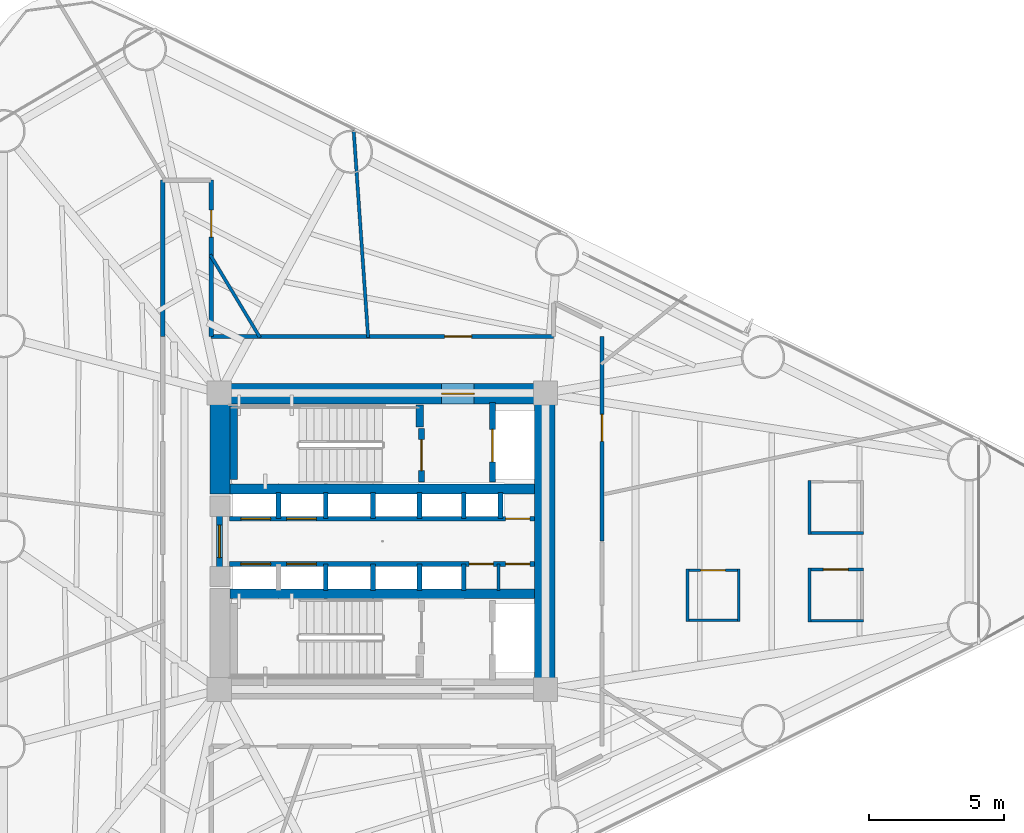
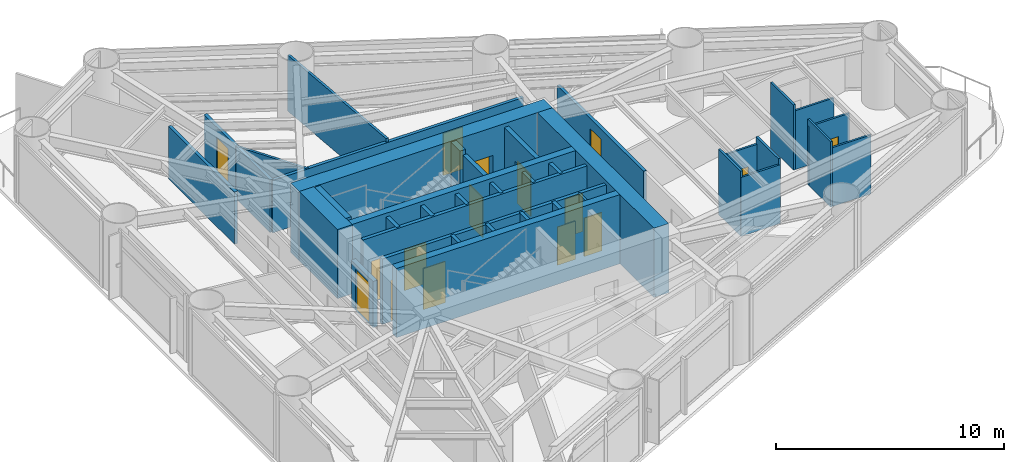
# One storey, part 6 of 11: 38 walls, 16 doors, 16 openings.
"""IFC4 building model written with IfcOpenShell, lengths in metres."""

from ifc_helpers import new_model, si_unit, direction, frame, frame_2d, origin, place, context, subcontext, project, spatial, rectangle, extrude, material, layer, layer_set, type_object, element, fill, save


model = new_model("IFC4")

# Units and contexts
model_context = context("Model", 3, precision=1e-05, world=origin(), true_north=direction((0.0, 1.0)))
body_context = subcontext(model_context, "Body", "Model", "MODEL_VIEW")
ifc_project = project(units=[si_unit("LENGTHUNIT", "METRE"), si_unit("AREAUNIT", "SQUARE_METRE"), si_unit("VOLUMEUNIT", "CUBIC_METRE"), si_unit("PLANEANGLEUNIT", "RADIAN"), si_unit("MASSUNIT", "GRAM", prefix="KILO")], contexts=[model_context])

# Site, building, storey
site_placement = place(None, origin())
site = spatial("IfcSite", under=ifc_project, at=site_placement, CompositionType="ELEMENT")
building_placement = place(site_placement, origin())
building = spatial("IfcBuilding", under=site, at=building_placement, Name="Yunling Apex Tower", CompositionType="ELEMENT")
storey_placement = place(building_placement, frame((0.0, 0.0, 42.300048828125)))
storey = spatial("IfcBuildingStorey", under=building, at=storey_placement, Name="L12", CompositionType="ELEMENT", Elevation=42.300048828125)

# Wall, opening, door
ifc_material_1 = material(Name="Concrete C60", Category="concrete")
ifc_layer_1 = layer(ifc_material_1, 0.75)
ifc_layer_set_1 = layer_set([ifc_layer_1], Name="Concrete C60")
wall_type_1 = type_object("IfcWallType", Name="WL-COR-1", PredefinedType="SHEAR", material=ifc_layer_set_1)
wall_1_placement = place(storey_placement, frame((-6.39990234375, 5.47509765625, 0.0), z_axis=(0.0, 0.0, 1.0), x_axis=(1.0, 0.0, 0.0)))
wall_1 = element("IfcWall", 1, at=wall_1_placement, inside=storey, type_object=wall_type_1, Name="L12 North Core Shear Wall", PredefinedType="SHEAR", context=body_context, shape_type="SweptSolid", body=[
    extrude(rectangle(XDim=12.7998046875, YDim=0.75, at=frame_2d((6.39990234375, 0.0))), origin(), (0.0, 0.0, 1.0), 3.699951171875),
])
opening_1_placement = place(wall_1_placement, frame((8.60009765625, 0.0, 0.0)))
opening_1 = element("IfcOpeningElement", 2, at=opening_1_placement, cuts=wall_1, Name="Opening DR-FFL-1", PredefinedType="OPENING", context=body_context, shape_type="SweptSolid", body=[
    extrude(rectangle(XDim=1.199951171875, YDim=2.199951171875, at=frame_2d((0.60009765625, 1.10009765625))), frame((0.0, 0.385009765625, 0.0), z_axis=(0.0, -1.0, 0.0), x_axis=(1.0, 0.0, 0.0)), (0.0, 0.0, 1.0), 0.77001953125),
])
ifc_material_2 = material(Name="Steel Q355B", Category="steel")
door_type_1 = type_object("IfcDoorType", Name="DR-FFL-1", OperationType="NOTDEFINED", PredefinedType="DOOR", material=ifc_material_2)
door_1_placement = place(opening_1_placement, origin())
door_1 = element("IfcDoor", 3, at=door_1_placement, inside=storey, type_object=door_type_1, Name="L12 North Firefighting Lobby Door", OperationType="SINGLE_SWING_LEFT", OverallHeight=2.199951171875, OverallWidth=1.199951171875, PredefinedType="DOOR", context=body_context, shape_type="SweptSolid", body=[
    extrude(rectangle(XDim=1.199951171875, YDim=2.199951171875, at=frame_2d((0.60009765625, 1.10009765625))), frame((0.0, 0.02490234375, 0.0), z_axis=(0.0, -1.0, 0.0), x_axis=(1.0, 0.0, 0.0)), (0.0, 0.0, 1.0), 0.050048828125),
])
fill(opening_1, door_1)

# Walls
wall_2_placement = place(storey_placement, frame((6.02490234375, -5.10009765625, 0.0), z_axis=(0.0, 0.0, 1.0), x_axis=(0.0, 1.0, 0.0)))
element("IfcWall", 4, at=wall_2_placement, inside=storey, type_object=wall_type_1, Name="L12 East Core Shear Wall", PredefinedType="SHEAR", context=body_context, shape_type="SweptSolid", body=[
    extrude(rectangle(XDim=10.2001953125, YDim=0.75, at=frame_2d((5.10009765625, 0.0))), origin(), (0.0, 0.0, 1.0), 3.699951171875),
])
wall_3_placement = place(storey_placement, frame((-6.02490234375, 1.75, 0.0), z_axis=(0.0, 0.0, 1.0), x_axis=(0.0, 1.0, 0.0)))
element("IfcWall", 5, at=wall_3_placement, inside=storey, type_object=wall_type_1, Name="L12 West-North Core Shear Wall", PredefinedType="SHEAR", context=body_context, shape_type="SweptSolid", body=[
    extrude(rectangle(XDim=3.35009765625, YDim=0.75, at=frame_2d((1.675048828125, 0.0))), origin(), (0.0, 0.0, 1.0), 3.699951171875),
])
ifc_material_3 = material(Name="Concrete C40", Category="concrete")
ifc_layer_2 = layer(ifc_material_3, 0.360107421875)
ifc_layer_set_2 = layer_set([ifc_layer_2], Name="Concrete C40")
wall_type_2 = type_object("IfcWallType", Name="WL-COR-4", PredefinedType="SHEAR", material=ifc_layer_set_2)
for number, where, z_axis, x_axis, name in (
    (6, (-5.64990234375, 1.93994140625, 0.0), (0.0, 0.0, 1.0), (1.0, 0.0, 0.0), "L12 North Internal Core Shear Wall"),
    (7, (-5.64990234375, -1.93994140625, 0.0), (0.0, 0.0, 1.0), (1.0, 0.0, 0.0), "L12 South Internal Core Shear Wall"),
):
    element("IfcWall", number, at=place(storey_placement, frame(where, z_axis=z_axis, x_axis=x_axis)), inside=storey, type_object=wall_type_2, Name=name, PredefinedType="SHEAR", context=body_context, shape_type="SweptSolid", body=[
        extrude(rectangle(XDim=11.2998046875, YDim=0.360107421875, at=frame_2d((5.64990234375, 0.0))), origin(), (0.0, 0.0, 1.0), 3.699951171875),
    ])
ifc_layer_3 = layer(ifc_material_3, 0.280029296875)
ifc_layer_set_3 = layer_set([ifc_layer_3], Name="Concrete C40")
wall_type_3 = type_object("IfcWallType", Name="WL-COR-8", PredefinedType="SHEAR", material=ifc_layer_set_3)
wall_4_placement = place(storey_placement, frame((-5.52001953125, 2.300048828125, 0.0), z_axis=(0.0, 0.0, 1.0), x_axis=(0.0, 1.0, 0.0)))
element("IfcWall", 8, at=wall_4_placement, inside=storey, type_object=wall_type_3, Name="L12 ST-1 West Landing Bearing Wall", PredefinedType="SHEAR", context=body_context, shape_type="SweptSolid", body=[
    extrude(rectangle(XDim=2.75, YDim=0.280029296875, at=frame_2d((1.375, 0.0))), origin(), (0.0, 0.0, 1.0), 3.699951171875),
])
wall_5_placement = place(storey_placement, frame((1.3798828125, 4.25, 0.0), z_axis=(0.0, 0.0, 1.0), x_axis=(0.0, 1.0, 0.0)))
element("IfcWall", 9, at=wall_5_placement, inside=storey, type_object=wall_type_3, Name="L12 ST-1 East Landing Bearing Pier", PredefinedType="SHEAR", context=body_context, shape_type="SweptSolid", body=[
    extrude(rectangle(XDim=0.800048828125, YDim=0.280029296875, at=frame_2d((0.39990234375, 0.0))), origin(), (0.0, 0.0, 1.0), 3.699951171875),
])
ifc_material_4 = material(Name="Gypsum board acoustic partition")
ifc_layer_4 = layer(ifc_material_4, 0.159912109375)
ifc_layer_set_4 = layer_set([ifc_layer_4], Name="Gypsum board acoustic partition")
wall_type_4 = type_object("IfcWallType", Name="WL-PRT-1", PredefinedType="PARTITIONING", material=ifc_layer_set_4)
wall_6_placement = place(storey_placement, frame((-8.14990234375, 7.60009765625, 0.0), z_axis=(0.0, 0.0, 1.0), x_axis=(0.0, 1.0, 0.0)))
element("IfcWall", 10, at=wall_6_placement, inside=storey, type_object=wall_type_4, Name="WL-CORR-L12-06", PredefinedType="PARTITIONING", context=body_context, shape_type="SweptSolid", body=[
    extrude(rectangle(XDim=5.7998046875, YDim=0.159912109375, at=frame_2d((2.89990234375, 0.0))), origin(), (0.0, 0.0, 1.0), 2.800048828125),
])

# Wall, opening, door
wall_7_placement = place(storey_placement, frame((-6.35009765625, 13.39990234375, 0.0), z_axis=(0.0, 0.0, 1.0), x_axis=(0.0, -1.0, 0.0)))
wall_7 = element("IfcWall", 11, at=wall_7_placement, inside=storey, type_object=wall_type_4, Name="WL-CORR-L12-08", PredefinedType="PARTITIONING", context=body_context, shape_type="SweptSolid", body=[
    extrude(rectangle(XDim=5.7998046875, YDim=0.159912109375, at=frame_2d((2.89990234375, 0.0))), origin(), (0.0, 0.0, 1.0), 2.800048828125),
])
opening_2_placement = place(wall_7_placement, frame((1.110107421875, 0.0, 0.0)))
opening_2 = element("IfcOpeningElement", 12, at=opening_2_placement, cuts=wall_7, Name="Opening DR-OFF-1", PredefinedType="OPENING", context=body_context, shape_type="SweptSolid", body=[
    extrude(rectangle(XDim=1.0, YDim=2.25, at=frame_2d((0.5, 1.125))), frame((0.0, 0.08984375, 0.0), z_axis=(0.0, -1.0, 0.0), x_axis=(1.0, 0.0, 0.0)), (0.0, 0.0, 1.0), 0.179931640625),
])
ifc_material_5 = material(Name="Bronze anodised aluminium", Category="aluminium")
door_type_2 = type_object("IfcDoorType", Name="DR-OFF-1", OperationType="NOTDEFINED", PredefinedType="DOOR", material=ifc_material_5)
door_2_placement = place(opening_2_placement, origin())
door_2 = element("IfcDoor", 13, at=door_2_placement, inside=storey, type_object=door_type_2, Name="L12 Client Reception Foyer Door", OperationType="SINGLE_SWING_RIGHT", OverallHeight=2.25, OverallWidth=1.0, PredefinedType="DOOR", context=body_context, shape_type="SweptSolid", body=[
    extrude(rectangle(XDim=1.0, YDim=2.25, at=frame_2d((0.5, 1.125))), frame((0.0, 0.02490234375, 0.0), z_axis=(0.0, -1.0, 0.0), x_axis=(1.0, 0.0, 0.0)), (0.0, 0.0, 1.0), 0.050048828125),
])
fill(opening_2, door_2)

wall_8_placement = place(storey_placement, frame((-6.35009765625, 7.60009765625, 0.0), z_axis=(0.0, 0.0, 1.0), x_axis=(1.0, 0.0, 0.0)))
wall_8 = element("IfcWall", 14, at=wall_8_placement, inside=storey, type_object=wall_type_4, Name="WL-CORR-L12-09", PredefinedType="PARTITIONING", context=body_context, shape_type="SweptSolid", body=[
    extrude(rectangle(XDim=12.7001953125, YDim=0.159912109375, at=frame_2d((6.35009765625, 0.0))), origin(), (0.0, 0.0, 1.0), 2.800048828125),
])
opening_3_placement = place(wall_8_placement, frame((8.66259765625, 0.0, 0.0)))
opening_3 = element("IfcOpeningElement", 15, at=opening_3_placement, cuts=wall_8, Name="Opening DR-OFF-1", PredefinedType="OPENING", context=body_context, shape_type="SweptSolid", body=[
    extrude(rectangle(XDim=1.0, YDim=2.25, at=frame_2d((0.5, 1.125))), frame((0.0, 0.08984375, 0.0), z_axis=(0.0, -1.0, 0.0), x_axis=(1.0, 0.0, 0.0)), (0.0, 0.0, 1.0), 0.179931640625),
])
door_3_placement = place(opening_3_placement, origin())
door_3 = element("IfcDoor", 16, at=door_3_placement, inside=storey, type_object=door_type_2, Name="L12 Open Plan Office Door", OperationType="SINGLE_SWING_LEFT", OverallHeight=2.25, OverallWidth=1.0, PredefinedType="DOOR", context=body_context, shape_type="SweptSolid", body=[
    extrude(rectangle(XDim=1.0, YDim=2.25, at=frame_2d((0.5, 1.125))), frame((0.0, 0.02490234375, 0.0), z_axis=(0.0, -1.0, 0.0), x_axis=(1.0, 0.0, 0.0)), (0.0, 0.0, 1.0), 0.050048828125),
])
fill(opening_3, door_3)

wall_9_placement = place(storey_placement, frame((8.14990234375, 7.60009765625, 0.0), z_axis=(0.0, 0.0, 1.0), x_axis=(0.0, -1.0, 0.0)))
wall_9 = element("IfcWall", 17, at=wall_9_placement, inside=storey, type_object=wall_type_4, Name="WL-CORR-L12-13", PredefinedType="PARTITIONING", context=body_context, shape_type="SweptSolid", body=[
    extrude(rectangle(XDim=7.580078125, YDim=0.159912109375, at=frame_2d((3.7900390625, 0.0))), origin(), (0.0, 0.0, 1.0), 2.800048828125),
])
opening_4_placement = place(wall_9_placement, frame((2.889892578125, 0.0, 0.0)))
opening_4 = element("IfcOpeningElement", 18, at=opening_4_placement, cuts=wall_9, Name="Opening DR-OFF-1", PredefinedType="OPENING", context=body_context, shape_type="SweptSolid", body=[
    extrude(rectangle(XDim=1.0, YDim=2.25, at=frame_2d((0.5, 1.125))), frame((0.0, 0.08984375, 0.0), z_axis=(0.0, -1.0, 0.0), x_axis=(1.0, 0.0, 0.0)), (0.0, 0.0, 1.0), 0.179931640625),
])
door_4_placement = place(opening_4_placement, origin())
door_4 = element("IfcDoor", 19, at=door_4_placement, inside=storey, type_object=door_type_2, Name="L12 Administration Staff Room Door", OperationType="SINGLE_SWING_RIGHT", OverallHeight=2.25, OverallWidth=1.0, PredefinedType="DOOR", context=body_context, shape_type="SweptSolid", body=[
    extrude(rectangle(XDim=1.0, YDim=2.25, at=frame_2d((0.5, 1.125))), frame((0.0, 0.02490234375, 0.0), z_axis=(0.0, -1.0, 0.0), x_axis=(1.0, 0.0, 0.0)), (0.0, 0.0, 1.0), 0.050048828125),
])
fill(opening_4, door_4)

# Walls
ifc_layer_5 = layer(ifc_material_4, 0.1201171875)
ifc_layer_set_5 = layer_set([ifc_layer_5], Name="Gypsum board acoustic partition")
wall_type_5 = type_object("IfcWallType", Name="WL-PRT-3", PredefinedType="PARTITIONING", material=ifc_layer_set_5)
wall_10_placement = place(storey_placement, frame((-0.528564453125, 7.56005859375, 0.0), z_axis=(0.0, 0.0, 1.0), x_axis=(-0.069775328769, 0.997562731609, 0.0)))
element("IfcWall", 20, at=wall_10_placement, inside=storey, type_object=wall_type_5, Name="WL-RAD-L12-02", PredefinedType="PARTITIONING", context=body_context, shape_type="SweptSolid", body=[
    extrude(rectangle(XDim=7.72216796875, YDim=0.1201171875, at=frame_2d((3.861083984375, 0.0))), origin(), (0.0, 0.0, 1.0), 3.0),
])
wall_11_placement = place(storey_placement, frame((-4.54248046875, 7.56005859375, 0.0), z_axis=(0.0, 0.0, 1.0), x_axis=(-0.515026141225, 0.85717447107, 0.0)))
element("IfcWall", 21, at=wall_11_placement, inside=storey, type_object=wall_type_5, Name="WL-RAD-L12-03", PredefinedType="PARTITIONING", context=body_context, shape_type="SweptSolid", body=[
    extrude(rectangle(XDim=3.5869140625, YDim=0.1201171875, at=frame_2d((1.79345703125, 0.0))), origin(), (0.0, 0.0, 1.0), 2.800048828125),
])
ifc_layer_6 = layer(ifc_material_4, 0.10009765625)
ifc_layer_set_6 = layer_set([ifc_layer_6], Name="Gypsum board acoustic partition")
wall_type_6 = type_object("IfcWallType", Name="WL-PRT-4", PredefinedType="PARTITIONING", material=ifc_layer_set_6)
wall_12_placement = place(storey_placement, frame((4.31005859375, -1.820068359375, 0.0), z_axis=(0.0, 0.0, 1.0), x_axis=(0.0, 1.0, 0.0)))
element("IfcWall", 22, at=wall_12_placement, inside=storey, type_object=wall_type_6, Name="WL-KCDIV-L12", PredefinedType="PARTITIONING", context=body_context, shape_type="SweptSolid", body=[
    extrude(rectangle(XDim=0.97998046875, YDim=0.10009765625, at=frame_2d((0.489990234375, 0.0))), origin(), (0.0, 0.0, 1.0), 3.494873046875),
])

# Wall, opening, door
wall_13_placement = place(storey_placement, frame((15.794921875, -1.047119140625, 0.0), z_axis=(0.0, 0.0, 1.0), x_axis=(1.0, 0.0, 0.0)))
wall_13 = element("IfcWall", 23, at=wall_13_placement, inside=storey, type_object=wall_type_6, Name="WL-L12-WCMN", PredefinedType="PARTITIONING", context=body_context, shape_type="SweptSolid", body=[
    extrude(rectangle(XDim=2.050048828125, YDim=0.10009765625, at=frame_2d((1.02490234375, 0.0))), origin(), (0.0, 0.0, 1.0), 3.14990234375),
])
opening_5_placement = place(wall_13_placement, frame((0.56494140625, 0.0, 0.0)))
opening_5 = element("IfcOpeningElement", 24, at=opening_5_placement, cuts=wall_13, Name="Opening DR-WC-1", PredefinedType="OPENING", context=body_context, shape_type="SweptSolid", body=[
    extrude(rectangle(XDim=0.919921875, YDim=2.10009765625, at=frame_2d((0.4599609375, 1.050048828125))), frame((0.0, 0.06005859375, 0.0), z_axis=(0.0, -1.0, 0.0), x_axis=(1.0, 0.0, 0.0)), (0.0, 0.0, 1.0), 0.1201171875),
])
ifc_material_6 = material(Name="Timber moisture-resistant leaf", Category="wood")
door_type_3 = type_object("IfcDoorType", Name="DR-WC-1", OperationType="NOTDEFINED", PredefinedType="DOOR", material=ifc_material_6)
door_5_placement = place(opening_5_placement, origin())
door_5 = element("IfcDoor", 25, at=door_5_placement, inside=storey, type_object=door_type_3, Name="L12 Male Toilet Door", OperationType="SINGLE_SWING_RIGHT", OverallHeight=2.10009765625, OverallWidth=0.919921875, PredefinedType="DOOR", context=body_context, shape_type="SweptSolid", body=[
    extrude(rectangle(XDim=0.919921875, YDim=2.10009765625, at=frame_2d((0.4599609375, 1.050048828125))), frame((0.0, 0.02490234375, 0.0), z_axis=(0.0, -1.0, 0.0), x_axis=(1.0, 0.0, 0.0)), (0.0, 0.0, 1.0), 0.050048828125),
])
fill(opening_5, door_5)

# Walls
wall_14_placement = place(storey_placement, frame((17.844970703125, -2.947021484375, 0.0), z_axis=(0.0, 0.0, 1.0), x_axis=(-1.0, 0.0, 0.0)))
element("IfcWall", 26, at=wall_14_placement, inside=storey, type_object=wall_type_6, Name="WL-L12-WCMS", PredefinedType="PARTITIONING", context=body_context, shape_type="SweptSolid", body=[
    extrude(rectangle(XDim=2.050048828125, YDim=0.10009765625, at=frame_2d((1.02490234375, 0.0))), origin(), (0.0, 0.0, 1.0), 3.14990234375),
])
wall_15_placement = place(storey_placement, frame((15.844970703125, -2.9970703125, 0.0), z_axis=(0.0, 0.0, 1.0), x_axis=(0.0, 1.0, 0.0)))
element("IfcWall", 27, at=wall_15_placement, inside=storey, type_object=wall_type_6, Name="WL-L12-WCMW", PredefinedType="PARTITIONING", context=body_context, shape_type="SweptSolid", body=[
    extrude(rectangle(XDim=2.0, YDim=0.10009765625, at=frame_2d((1.0, 0.0))), origin(), (0.0, 0.0, 1.0), 3.494873046875),
])
wall_16_placement = place(storey_placement, frame((17.844970703125, 0.31103515625, 0.0), z_axis=(0.0, 0.0, 1.0), x_axis=(-1.0, 0.0, 0.0)))
element("IfcWall", 28, at=wall_16_placement, inside=storey, type_object=wall_type_6, Name="WL-L12-WCFS", PredefinedType="PARTITIONING", context=body_context, shape_type="SweptSolid", body=[
    extrude(rectangle(XDim=2.050048828125, YDim=0.10009765625, at=frame_2d((1.02490234375, 0.0))), origin(), (0.0, 0.0, 1.0), 3.14990234375),
])
wall_17_placement = place(storey_placement, frame((15.844970703125, 0.260986328125, 0.0), z_axis=(0.0, 0.0, 1.0), x_axis=(0.0, 1.0, 0.0)))
element("IfcWall", 29, at=wall_17_placement, inside=storey, type_object=wall_type_6, Name="WL-L12-WCFW", PredefinedType="PARTITIONING", context=body_context, shape_type="SweptSolid", body=[
    extrude(rectangle(XDim=2.0, YDim=0.10009765625, at=frame_2d((1.0, 0.0))), origin(), (0.0, 0.0, 1.0), 3.494873046875),
])

# Wall, opening, door
wall_18_placement = place(storey_placement, frame((11.26708984375, -1.072021484375, 0.0), z_axis=(0.0, 0.0, 1.0), x_axis=(1.0, 0.0, 0.0)))
wall_18 = element("IfcWall", 30, at=wall_18_placement, inside=storey, type_object=wall_type_6, Name="WL-L12-WCAN", PredefinedType="PARTITIONING", context=body_context, shape_type="SweptSolid", body=[
    extrude(rectangle(XDim=2.0, YDim=0.10009765625, at=frame_2d((1.0, 0.0))), origin(), (0.0, 0.0, 1.0), 3.14990234375),
])
opening_6_placement = place(wall_18_placement, frame((0.5400390625, 0.0, 0.0)))
opening_6 = element("IfcOpeningElement", 31, at=opening_6_placement, cuts=wall_18, Name="Opening DR-WC-1", PredefinedType="OPENING", context=body_context, shape_type="SweptSolid", body=[
    extrude(rectangle(XDim=0.919921875, YDim=2.10009765625, at=frame_2d((0.4599609375, 1.050048828125))), frame((0.0, 0.06005859375, 0.0), z_axis=(0.0, -1.0, 0.0), x_axis=(1.0, 0.0, 0.0)), (0.0, 0.0, 1.0), 0.1201171875),
])
door_6_placement = place(opening_6_placement, origin())
door_6 = element("IfcDoor", 32, at=door_6_placement, inside=storey, type_object=door_type_3, Name="L12 Accessible WC Door", OperationType="SINGLE_SWING_RIGHT", OverallHeight=2.10009765625, OverallWidth=0.919921875, PredefinedType="DOOR", context=body_context, shape_type="SweptSolid", body=[
    extrude(rectangle(XDim=0.919921875, YDim=2.10009765625, at=frame_2d((0.4599609375, 1.050048828125))), frame((0.0, 0.02490234375, 0.0), z_axis=(0.0, -1.0, 0.0), x_axis=(1.0, 0.0, 0.0)), (0.0, 0.0, 1.0), 0.050048828125),
])
fill(opening_6, door_6)

# Walls
wall_19_placement = place(storey_placement, frame((13.26708984375, -2.922119140625, 0.0), z_axis=(0.0, 0.0, 1.0), x_axis=(-1.0, 0.0, 0.0)))
element("IfcWall", 33, at=wall_19_placement, inside=storey, type_object=wall_type_6, Name="WL-L12-WCAS", PredefinedType="PARTITIONING", context=body_context, shape_type="SweptSolid", body=[
    extrude(rectangle(XDim=2.0, YDim=0.10009765625, at=frame_2d((1.0, 0.0))), origin(), (0.0, 0.0, 1.0), 3.14990234375),
])
for number, where, z_axis, x_axis, name in (
    (34, (13.217041015625, -1.02197265625, 0.0), (0.0, 0.0, 1.0), (0.0, -1.0, 0.0), "WL-L12-WCAE"),
    (35, (11.31689453125, -2.971923828125, 0.0), (0.0, 0.0, 1.0), (0.0, 1.0, 0.0), "WL-L12-WCAW"),
):
    element("IfcWall", number, at=place(storey_placement, frame(where, z_axis=z_axis, x_axis=x_axis)), inside=storey, type_object=wall_type_6, Name=name, PredefinedType="PARTITIONING", context=body_context, shape_type="SweptSolid", body=[
        extrude(rectangle(XDim=1.949951171875, YDim=0.10009765625, at=frame_2d((0.97509765625, 0.0))), origin(), (0.0, 0.0, 1.0), 3.494873046875),
    ])

# Wall, opening, door
ifc_material_7 = material(Name="Autoclaved aerated concrete masonry", Category="masonry")
ifc_layer_7 = layer(ifc_material_7, 0.219970703125)
ifc_layer_set_7 = layer_set([ifc_layer_7], Name="Autoclaved aerated concrete masonry")
wall_type_7 = type_object("IfcWallType", Name="WL-SHF-1", PredefinedType="PLUMBINGWALL", material=ifc_layer_set_7)
wall_20_placement = place(storey_placement, frame((-6.050048828125, -0.949951171875, 0.0), z_axis=(0.0, 0.0, 1.0), x_axis=(0.0, 1.0, 0.0)))
wall_20 = element("IfcWall", 36, at=wall_20_placement, inside=storey, type_object=wall_type_7, Name="WL-COR-WPORT-L12", PredefinedType="PLUMBINGWALL", context=body_context, shape_type="SweptSolid", body=[
    extrude(rectangle(XDim=1.89990234375, YDim=0.219970703125, at=frame_2d((0.949951171875, 0.0))), origin(), (0.0, 0.0, 1.0), 2.474853515625),
])
opening_7_placement = place(wall_20_placement, frame((0.35009765625, 0.0, 0.0)))
opening_7 = element("IfcOpeningElement", 37, at=opening_7_placement, cuts=wall_20, Name="Opening DR-FFL-1", PredefinedType="OPENING", context=body_context, shape_type="SweptSolid", body=[
    extrude(rectangle(XDim=1.199951171875, YDim=2.199951171875, at=frame_2d((0.60009765625, 1.10009765625))), frame((0.0, 0.1201171875, 0.0), z_axis=(0.0, -1.0, 0.0), x_axis=(1.0, 0.0, 0.0)), (0.0, 0.0, 1.0), 0.239990234375),
])
door_7_placement = place(opening_7_placement, origin())
door_7 = element("IfcDoor", 38, at=door_7_placement, inside=storey, type_object=door_type_1, Name="L12 Passenger Lift Lobby Entrance Door", OperationType="SINGLE_SWING_RIGHT", OverallHeight=2.199951171875, OverallWidth=1.199951171875, PredefinedType="DOOR", context=body_context, shape_type="SweptSolid", body=[
    extrude(rectangle(XDim=1.199951171875, YDim=2.199951171875, at=frame_2d((0.60009765625, 1.10009765625))), frame((0.0, 0.02490234375, 0.0), z_axis=(0.0, -1.0, 0.0), x_axis=(1.0, 0.0, 0.0)), (0.0, 0.0, 1.0), 0.050048828125),
])
fill(opening_7, door_7)

wall_21_placement = place(storey_placement, frame((1.449951171875, 2.199951171875, 0.0), z_axis=(0.0, 0.0, 1.0), x_axis=(0.0, 1.0, 0.0)))
wall_21 = element("IfcWall", 39, at=wall_21_placement, inside=storey, type_object=wall_type_7, Name="WL-ST1-E-L12", PredefinedType="PLUMBINGWALL", context=body_context, shape_type="SweptSolid", body=[
    extrude(rectangle(XDim=1.97998046875, YDim=0.219970703125, at=frame_2d((0.989990234375, 0.0))), origin(), (0.0, 0.0, 1.0), 3.494873046875),
])
opening_8_placement = place(wall_21_placement, frame((0.419921875, 0.0, 0.0)))
opening_8 = element("IfcOpeningElement", 40, at=opening_8_placement, cuts=wall_21, Name="Opening DR-ST-1", PredefinedType="OPENING", context=body_context, shape_type="SweptSolid", body=[
    extrude(rectangle(XDim=1.14990234375, YDim=2.14990234375, at=frame_2d((0.574951171875, 1.074951171875))), frame((0.0, 0.1201171875, 0.0), z_axis=(0.0, -1.0, 0.0), x_axis=(1.0, 0.0, 0.0)), (0.0, 0.0, 1.0), 0.239990234375),
])
door_type_4 = type_object("IfcDoorType", Name="DR-ST-1", OperationType="NOTDEFINED", PredefinedType="DOOR", material=ifc_material_2)
door_8_placement = place(opening_8_placement, origin())
door_8 = element("IfcDoor", 41, at=door_8_placement, inside=storey, type_object=door_type_4, Name="L12 Stair ST-1 Fire Door", OperationType="SINGLE_SWING_LEFT", OverallHeight=2.14990234375, OverallWidth=1.14990234375, PredefinedType="DOOR", context=body_context, shape_type="SweptSolid", body=[
    extrude(rectangle(XDim=1.14990234375, YDim=2.14990234375, at=frame_2d((0.574951171875, 1.074951171875))), frame((0.0, 0.02490234375, 0.0), z_axis=(0.0, -1.0, 0.0), x_axis=(1.0, 0.0, 0.0)), (0.0, 0.0, 1.0), 0.050048828125),
])
fill(opening_8, door_8)

wall_22_placement = place(storey_placement, frame((4.080078125, 2.199951171875, 0.0), z_axis=(0.0, 0.0, 1.0), x_axis=(0.0, 1.0, 0.0)))
wall_22 = element("IfcWall", 42, at=wall_22_placement, inside=storey, type_object=wall_type_7, Name="WL-FFL1-W-L12", PredefinedType="PLUMBINGWALL", context=body_context, shape_type="SweptSolid", body=[
    extrude(rectangle(XDim=2.949951171875, YDim=0.219970703125, at=frame_2d((1.47509765625, 0.0))), origin(), (0.0, 0.0, 1.0), 3.494873046875),
])
opening_9_placement = place(wall_22_placement, frame((0.75, 0.0, 0.0)))
opening_9 = element("IfcOpeningElement", 43, at=opening_9_placement, cuts=wall_22, Name="Opening LD-FFL-1", PredefinedType="OPENING", context=body_context, shape_type="SweptSolid", body=[
    extrude(rectangle(XDim=1.199951171875, YDim=2.25, at=frame_2d((0.60009765625, 1.125))), frame((0.0, 0.1201171875, 0.0), z_axis=(0.0, -1.0, 0.0), x_axis=(1.0, 0.0, 0.0)), (0.0, 0.0, 1.0), 0.239990234375),
])
door_type_5 = type_object("IfcDoorType", Name="LD-FFL-1", OperationType="DOUBLE_DOOR_SLIDING", PredefinedType="DOOR", material=ifc_material_2)
door_9_placement = place(opening_9_placement, origin())
door_9 = element("IfcDoor", 44, at=door_9_placement, inside=storey, type_object=door_type_5, Name="L12 Lift FFL-1 Landing Door", OperationType="DOUBLE_DOOR_SLIDING", OverallHeight=2.25, OverallWidth=1.199951171875, PredefinedType="DOOR", context=body_context, shape_type="SweptSolid", body=[
    extrude(rectangle(XDim=1.199951171875, YDim=2.25, at=frame_2d((0.60009765625, 1.125))), frame((0.0, 0.02490234375, 0.0), z_axis=(0.0, -1.0, 0.0), x_axis=(1.0, 0.0, 0.0)), (0.0, 0.0, 1.0), 0.050048828125),
])
fill(opening_9, door_9)

# Walls
ifc_layer_8 = layer(ifc_material_7, 0.179931640625)
ifc_layer_set_8 = layer_set([ifc_layer_8], Name="Autoclaved aerated concrete masonry")
wall_type_8 = type_object("IfcWallType", Name="WL-SHF-2", PredefinedType="PLUMBINGWALL", material=ifc_layer_set_8)
for number, where, z_axis, x_axis, name in (
    (45, (-3.85009765625, 0.840087890625, 0.0), (0.0, 0.0, 1.0), (0.0, 1.0, 0.0), "WL-DIV-L12-L12"),
    (46, (-2.10009765625, 0.840087890625, 0.0), (0.0, 0.0, 1.0), (0.0, 1.0, 0.0), "WL-BNK-LM-N-L12"),
    (47, (-2.10009765625, -1.820068359375, 0.0), (0.0, 0.0, 1.0), (0.0, 1.0, 0.0), "WL-BNK-LM-S-L12"),
    (48, (-0.35009765625, 0.840087890625, 0.0), (0.0, 0.0, 1.0), (0.0, 1.0, 0.0), "WL-DIV-M12-L12"),
    (49, (-0.35009765625, -1.820068359375, 0.0), (0.0, 0.0, 1.0), (0.0, 1.0, 0.0), "WL-DIV-M34-L12"),
    (50, (1.3798828125, 0.840087890625, 0.0), (0.0, 0.0, 1.0), (0.0, 1.0, 0.0), "WL-BNK-MH-N-L12"),
    (51, (1.3798828125, -1.820068359375, 0.0), (0.0, 0.0, 1.0), (0.0, 1.0, 0.0), "WL-BNK-MH-S-L12"),
    (52, (3.02001953125, 0.840087890625, 0.0), (0.0, 0.0, 1.0), (0.0, 1.0, 0.0), "WL-DIV-H13-L12"),
    (53, (4.3798828125, 0.840087890625, 0.0), (0.0, 0.0, 1.0), (0.0, 1.0, 0.0), "WL-END-H3E-L12"),
    (54, (3.02001953125, -1.820068359375, 0.0), (0.0, 0.0, 1.0), (0.0, 1.0, 0.0), "WL-END-H2E-L12"),
):
    element("IfcWall", number, at=place(storey_placement, frame(where, z_axis=z_axis, x_axis=x_axis)), inside=storey, type_object=wall_type_8, Name=name, PredefinedType="PLUMBINGWALL", context=body_context, shape_type="SweptSolid", body=[
        extrude(rectangle(XDim=0.97998046875, YDim=0.179931640625, at=frame_2d((0.489990234375, 0.0))), origin(), (0.0, 0.0, 1.0), 3.494873046875),
    ])

# Wall, openings, doors
wall_23_placement = place(storey_placement, frame((-5.679931640625, 0.840087890625, 0.0), z_axis=(0.0, 0.0, 1.0), x_axis=(1.0, 0.0, 0.0)))
wall_23 = element("IfcWall", 55, at=wall_23_placement, inside=storey, type_object=wall_type_8, Name="WL-LOB-N-L12", PredefinedType="PLUMBINGWALL", context=body_context, shape_type="SweptSolid", body=[
    extrude(rectangle(XDim=11.329833984375, YDim=0.179931640625, at=frame_2d((5.6650390625, 0.0))), origin(), (0.0, 0.0, 1.0), 3.494873046875),
])
opening_10_placement = place(wall_23_placement, frame((0.429931640625, 0.0, 0.0)))
opening_10 = element("IfcOpeningElement", 56, at=opening_10_placement, cuts=wall_23, Name="Opening LD-PAS-1", PredefinedType="OPENING", context=body_context, shape_type="SweptSolid", body=[
    extrude(rectangle(XDim=1.10009765625, YDim=2.199951171875, at=frame_2d((0.550048828125, 1.10009765625))), frame((0.0, 0.10009765625, 0.0), z_axis=(0.0, -1.0, 0.0), x_axis=(1.0, 0.0, 0.0)), (0.0, 0.0, 1.0), 0.199951171875),
])
opening_11_placement = place(wall_23_placement, frame((2.1298828125, 0.0, 0.0)))
opening_11 = element("IfcOpeningElement", 57, at=opening_11_placement, cuts=wall_23, Name="Opening LD-PAS-1", PredefinedType="OPENING", context=body_context, shape_type="SweptSolid", body=[
    extrude(rectangle(XDim=1.10009765625, YDim=2.199951171875, at=frame_2d((0.550048828125, 1.10009765625))), frame((0.0, 0.10009765625, 0.0), z_axis=(0.0, -1.0, 0.0), x_axis=(1.0, 0.0, 0.0)), (0.0, 0.0, 1.0), 0.199951171875),
])
opening_12_placement = place(wall_23_placement, frame((10.25, 0.0, 0.0)))
opening_12 = element("IfcOpeningElement", 58, at=opening_12_placement, cuts=wall_23, Name="Opening DR-SHF-1", PredefinedType="OPENING", context=body_context, shape_type="SweptSolid", body=[
    extrude(rectangle(XDim=0.89990234375, YDim=2.050048828125, at=frame_2d((0.449951171875, 1.02490234375))), frame((0.0, 0.10009765625, 0.0), z_axis=(0.0, -1.0, 0.0), x_axis=(1.0, 0.0, 0.0)), (0.0, 0.0, 1.0), 0.199951171875),
])
door_type_6 = type_object("IfcDoorType", Name="DR-SHF-1", OperationType="NOTDEFINED", PredefinedType="DOOR", material=ifc_material_2)
door_10_placement = place(opening_12_placement, origin())
door_10 = element("IfcDoor", 59, at=door_10_placement, inside=storey, type_object=door_type_6, Name="L12 Floor Supply Store Door", OperationType="SINGLE_SWING_LEFT", OverallHeight=2.050048828125, OverallWidth=0.89990234375, PredefinedType="DOOR", context=body_context, shape_type="SweptSolid", body=[
    extrude(rectangle(XDim=0.89990234375, YDim=2.050048828125, at=frame_2d((0.449951171875, 1.02490234375))), frame((0.0, 0.02490234375, 0.0), z_axis=(0.0, -1.0, 0.0), x_axis=(1.0, 0.0, 0.0)), (0.0, 0.0, 1.0), 0.050048828125),
])
fill(opening_12, door_10)
ifc_material_8 = material(Name="Silver anodised aluminium", Category="aluminium")
door_type_7 = type_object("IfcDoorType", Name="LD-PAS-1", OperationType="DOUBLE_DOOR_SLIDING", PredefinedType="DOOR", material=ifc_material_8)
door_11_placement = place(opening_10_placement, origin())
door_11 = element("IfcDoor", 60, at=door_11_placement, inside=storey, type_object=door_type_7, Name="L12 Lift PL-L1 Landing Door", OperationType="DOUBLE_DOOR_SLIDING", OverallHeight=2.199951171875, OverallWidth=1.10009765625, PredefinedType="DOOR", context=body_context, shape_type="SweptSolid", body=[
    extrude(rectangle(XDim=1.10009765625, YDim=2.199951171875, at=frame_2d((0.550048828125, 1.10009765625))), frame((0.0, 0.02490234375, 0.0), z_axis=(0.0, -1.0, 0.0), x_axis=(1.0, 0.0, 0.0)), (0.0, 0.0, 1.0), 0.050048828125),
])
fill(opening_10, door_11)
door_12_placement = place(opening_11_placement, origin())
door_12 = element("IfcDoor", 61, at=door_12_placement, inside=storey, type_object=door_type_7, Name="L12 Lift PL-L2 Landing Door", OperationType="DOUBLE_DOOR_SLIDING", OverallHeight=2.199951171875, OverallWidth=1.10009765625, PredefinedType="DOOR", context=body_context, shape_type="SweptSolid", body=[
    extrude(rectangle(XDim=1.10009765625, YDim=2.199951171875, at=frame_2d((0.550048828125, 1.10009765625))), frame((0.0, 0.02490234375, 0.0), z_axis=(0.0, -1.0, 0.0), x_axis=(1.0, 0.0, 0.0)), (0.0, 0.0, 1.0), 0.050048828125),
])
fill(opening_11, door_12)

wall_24_placement = place(storey_placement, frame((-5.679931640625, -0.840087890625, 0.0), z_axis=(0.0, 0.0, 1.0), x_axis=(1.0, 0.0, 0.0)))
wall_24 = element("IfcWall", 62, at=wall_24_placement, inside=storey, type_object=wall_type_8, Name="WL-LOB-S-L12", PredefinedType="PLUMBINGWALL", context=body_context, shape_type="SweptSolid", body=[
    extrude(rectangle(XDim=11.329833984375, YDim=0.179931640625, at=frame_2d((5.6650390625, 0.0))), origin(), (0.0, 0.0, 1.0), 3.494873046875),
])
opening_13_placement = place(wall_24_placement, frame((0.429931640625, 0.0, 0.0)))
opening_13 = element("IfcOpeningElement", 63, at=opening_13_placement, cuts=wall_24, Name="Opening LD-PAS-1", PredefinedType="OPENING", context=body_context, shape_type="SweptSolid", body=[
    extrude(rectangle(XDim=1.10009765625, YDim=2.199951171875, at=frame_2d((0.550048828125, 1.10009765625))), frame((0.0, 0.10009765625, 0.0), z_axis=(0.0, -1.0, 0.0), x_axis=(1.0, 0.0, 0.0)), (0.0, 0.0, 1.0), 0.199951171875),
])
opening_14_placement = place(wall_24_placement, frame((2.1298828125, 0.0, 0.0)))
opening_14 = element("IfcOpeningElement", 64, at=opening_14_placement, cuts=wall_24, Name="Opening LD-PAS-1", PredefinedType="OPENING", context=body_context, shape_type="SweptSolid", body=[
    extrude(rectangle(XDim=1.10009765625, YDim=2.199951171875, at=frame_2d((0.550048828125, 1.10009765625))), frame((0.0, 0.10009765625, 0.0), z_axis=(0.0, -1.0, 0.0), x_axis=(1.0, 0.0, 0.0)), (0.0, 0.0, 1.0), 0.199951171875),
])
opening_15_placement = place(wall_24_placement, frame((8.89990234375, 0.0, 0.0)))
opening_15 = element("IfcOpeningElement", 65, at=opening_15_placement, cuts=wall_24, Name="Opening DR-SHF-1", PredefinedType="OPENING", context=body_context, shape_type="SweptSolid", body=[
    extrude(rectangle(XDim=0.89990234375, YDim=2.050048828125, at=frame_2d((0.449951171875, 1.02490234375))), frame((0.0, 0.10009765625, 0.0), z_axis=(0.0, -1.0, 0.0), x_axis=(1.0, 0.0, 0.0)), (0.0, 0.0, 1.0), 0.199951171875),
])
opening_16_placement = place(wall_24_placement, frame((10.25, 0.0, 0.0)))
opening_16 = element("IfcOpeningElement", 66, at=opening_16_placement, cuts=wall_24, Name="Opening DR-SHF-1", PredefinedType="OPENING", context=body_context, shape_type="SweptSolid", body=[
    extrude(rectangle(XDim=0.89990234375, YDim=2.050048828125, at=frame_2d((0.449951171875, 1.02490234375))), frame((0.0, 0.10009765625, 0.0), z_axis=(0.0, -1.0, 0.0), x_axis=(1.0, 0.0, 0.0)), (0.0, 0.0, 1.0), 0.199951171875),
])
door_13_placement = place(opening_15_placement, origin())
door_13 = element("IfcDoor", 67, at=door_13_placement, inside=storey, type_object=door_type_6, Name="L12 LV Closet Door", OperationType="SINGLE_SWING_RIGHT", OverallHeight=2.050048828125, OverallWidth=0.89990234375, PredefinedType="DOOR", context=body_context, shape_type="SweptSolid", body=[
    extrude(rectangle(XDim=0.89990234375, YDim=2.050048828125, at=frame_2d((0.449951171875, 1.02490234375))), frame((0.0, 0.02490234375, 0.0), z_axis=(0.0, -1.0, 0.0), x_axis=(1.0, 0.0, 0.0)), (0.0, 0.0, 1.0), 0.050048828125),
])
fill(opening_15, door_13)
door_14_placement = place(opening_16_placement, origin())
door_14 = element("IfcDoor", 68, at=door_14_placement, inside=storey, type_object=door_type_6, Name="L12 Standpipe Closet Door", OperationType="SINGLE_SWING_LEFT", OverallHeight=2.050048828125, OverallWidth=0.89990234375, PredefinedType="DOOR", context=body_context, shape_type="SweptSolid", body=[
    extrude(rectangle(XDim=0.89990234375, YDim=2.050048828125, at=frame_2d((0.449951171875, 1.02490234375))), frame((0.0, 0.02490234375, 0.0), z_axis=(0.0, -1.0, 0.0), x_axis=(1.0, 0.0, 0.0)), (0.0, 0.0, 1.0), 0.050048828125),
])
fill(opening_16, door_14)
door_15_placement = place(opening_13_placement, origin())
door_15 = element("IfcDoor", 69, at=door_15_placement, inside=storey, type_object=door_type_7, Name="L12 Lift PL-L3 Landing Door", OperationType="DOUBLE_DOOR_SLIDING", OverallHeight=2.199951171875, OverallWidth=1.10009765625, PredefinedType="DOOR", context=body_context, shape_type="SweptSolid", body=[
    extrude(rectangle(XDim=1.10009765625, YDim=2.199951171875, at=frame_2d((0.550048828125, 1.10009765625))), frame((0.0, 0.02490234375, 0.0), z_axis=(0.0, -1.0, 0.0), x_axis=(1.0, 0.0, 0.0)), (0.0, 0.0, 1.0), 0.050048828125),
])
fill(opening_13, door_15)
door_16_placement = place(opening_14_placement, origin())
door_16 = element("IfcDoor", 70, at=door_16_placement, inside=storey, type_object=door_type_7, Name="L12 Lift PL-L4 Landing Door", OperationType="DOUBLE_DOOR_SLIDING", OverallHeight=2.199951171875, OverallWidth=1.10009765625, PredefinedType="DOOR", context=body_context, shape_type="SweptSolid", body=[
    extrude(rectangle(XDim=1.10009765625, YDim=2.199951171875, at=frame_2d((0.550048828125, 1.10009765625))), frame((0.0, 0.02490234375, 0.0), z_axis=(0.0, -1.0, 0.0), x_axis=(1.0, 0.0, 0.0)), (0.0, 0.0, 1.0), 0.050048828125),
])
fill(opening_14, door_16)

save(model, "model.ifc")
